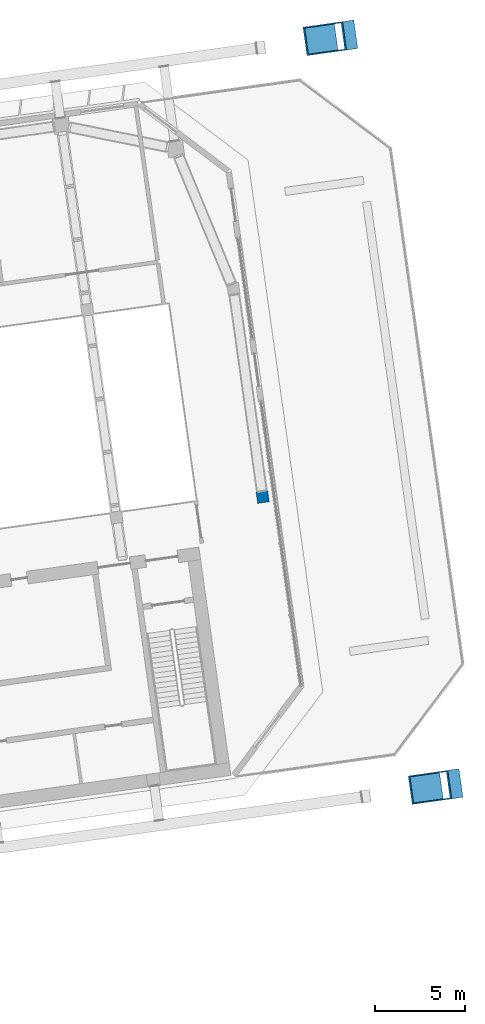
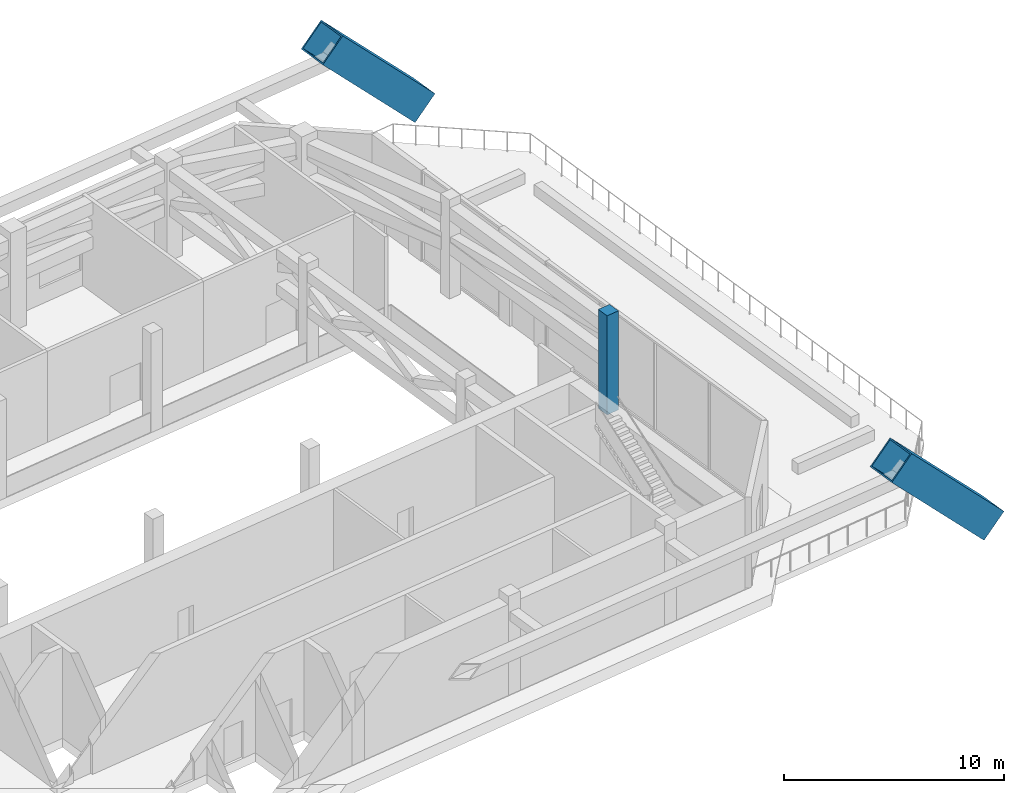
# One storey, part 2 of 41: 3 columns.
"""IFC4 building model written with IfcOpenShell, lengths in metres."""

from ifc_helpers import new_model, si_unit, direction, frame, origin, origin_2d, place, context, subcontext, project, spatial, rectangle, hollow_rectangle, extrude, material, material_profile, profile_set, type_object, element, save


model = new_model("IFC4")

# Units and contexts
model_context = context("Model", 3, precision=1e-05, world=origin(), true_north=direction((0.0, 1.0)))
body_context = subcontext(model_context, "Body", "Model", "MODEL_VIEW")
ifc_project = project(units=[si_unit("LENGTHUNIT", "METRE"), si_unit("AREAUNIT", "SQUARE_METRE"), si_unit("VOLUMEUNIT", "CUBIC_METRE"), si_unit("PLANEANGLEUNIT", "RADIAN"), si_unit("MASSUNIT", "GRAM", prefix="KILO")], contexts=[model_context])

# Site, building, storey
site_placement = place(None, origin())
site = spatial("IfcSite", under=ifc_project, at=site_placement, CompositionType="ELEMENT")
building_placement = place(site_placement, origin())
building = spatial("IfcBuilding", under=site, at=building_placement, Name="Mirante Cascada Hotel Towers", CompositionType="ELEMENT")
storey_placement = place(building_placement, frame((0.0, 0.0, 151.9)))
storey = spatial("IfcBuildingStorey", under=building, at=storey_placement, Name="L35", CompositionType="ELEMENT", Elevation=151.9)

# Columns
ifc_material_1 = material(Name="Steel ASTM A572 Gr 50", Category="steel")
ifc_material_profile_1 = material_profile(ifc_material_1, hollow_rectangle(XDim=1.6, YDim=1.6, WallThickness=0.07, at=origin_2d()), Name="Box column 1600x1600x70 ASTM A572 Gr 50")
ifc_profile_set_1 = profile_set([ifc_material_profile_1], Name="Steel ASTM A572 Gr 50")
column_type_1 = type_object("IfcColumnType", Name="Box column 1600x1600x70 ASTM A572 Gr 50", PredefinedType="COLUMN", material=ifc_profile_set_1)
column_1_placement = place(storey_placement, frame((96.7156, 28.5826, 0.0), z_axis=(-0.6886554, -0.096776, 0.7186015), x_axis=(0.1391616, -0.9902697, 0.0)))
element("IfcColumn", 1, at=column_1_placement, inside=storey, type_object=column_type_1, Name="Mega column MC3 T2 L35", PredefinedType="COLUMN", context=body_context, shape_type="SweptSolid", body=[
    extrude(hollow_rectangle(XDim=1.6, YDim=1.6, WallThickness=0.07, at=origin_2d()), origin(), (0.0, 0.0, 1.0), 7.6538),
])
column_2_placement = place(storey_placement, frame((102.5608, -13.0086, 0.0), z_axis=(-0.6886477, -0.0967898, 0.7186071), x_axis=(0.1391826, -0.9902667, 0.0)))
element("IfcColumn", 2, at=column_2_placement, inside=storey, type_object=column_type_1, Name="Mega column MC4 T2 L35", PredefinedType="COLUMN", context=body_context, shape_type="SweptSolid", body=[
    extrude(hollow_rectangle(XDim=1.6, YDim=1.6, WallThickness=0.07, at=origin_2d()), origin(), (0.0, 0.0, 1.0), 7.6537),
])
ifc_material_2 = material(Name="Concrete C60/75", Category="concrete")
ifc_material_profile_2 = material_profile(ifc_material_2, rectangle(XDim=0.65, YDim=0.65, at=origin_2d()), Name="RC column 650x650 C60/75")
ifc_profile_set_2 = profile_set([ifc_material_profile_2], Name="Concrete C60/75")
column_type_2 = type_object("IfcColumnType", Name="RC column 650x650 C60/75", PredefinedType="COLUMN", material=ifc_profile_set_2)
column_3_placement = place(storey_placement, frame((92.1131, 2.9678, 0.0), z_axis=(0.0, 0.0, 1.0), x_axis=(0.9902681, 0.1391731, 0.0)))
element("IfcColumn", 3, at=column_3_placement, inside=storey, type_object=column_type_2, Name="Column T2 L35 31", PredefinedType="COLUMN", context=body_context, shape_type="SweptSolid", body=[
    extrude(rectangle(XDim=0.65, YDim=0.65, at=origin_2d()), origin(), (0.0, 0.0, 1.0), 5.5),
])

save(model, "model.ifc")
